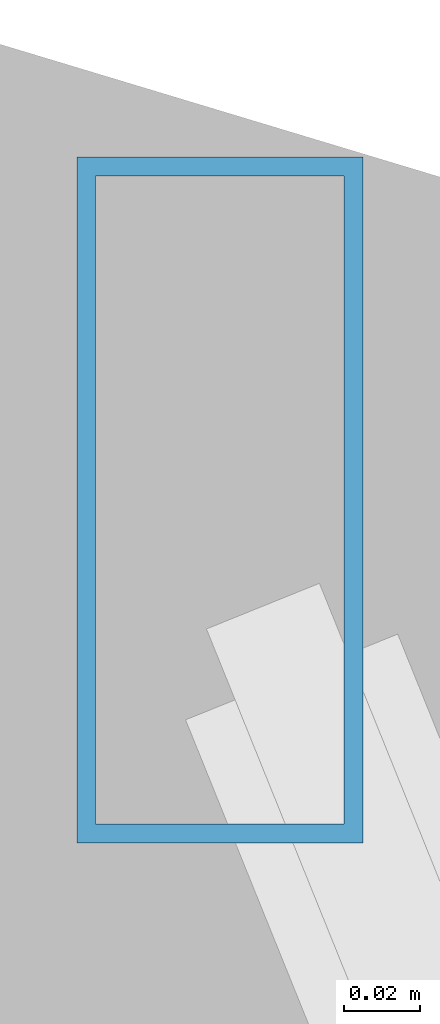
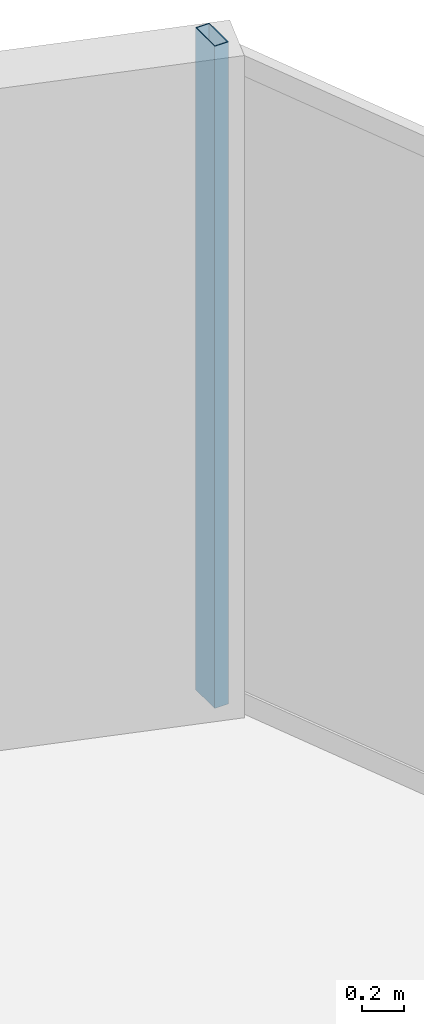
# One storey, part 23 of 29: 1 member, 1 element without a shape of its own.
"""IFC4 building model written with IfcOpenShell, lengths in metres."""

from ifc_helpers import new_model, si_unit, direction, frame, origin, origin_2d, place, context, subcontext, project, spatial, hollow_rectangle, extrude, material, layer, layer_set, material_profile, profile_set, type_object, element, aggregate, save


model = new_model("IFC4")

# Units and contexts
model_context = context("Model", 3, precision=1e-05, world=origin(), true_north=direction((0.0, 1.0)))
body_context = subcontext(model_context, "Body", "Model", "MODEL_VIEW")
ifc_project = project(units=[si_unit("LENGTHUNIT", "METRE"), si_unit("AREAUNIT", "SQUARE_METRE"), si_unit("VOLUMEUNIT", "CUBIC_METRE"), si_unit("PLANEANGLEUNIT", "RADIAN"), si_unit("MASSUNIT", "GRAM", prefix="KILO")], contexts=[model_context])

# Site, building, storey
site_placement = place(None, origin())
site = spatial("IfcSite", under=ifc_project, at=site_placement, CompositionType="ELEMENT")
building_placement = place(site_placement, origin())
building = spatial("IfcBuilding", under=site, at=building_placement, Name="Veymaron Broadcast Tower", CompositionType="ELEMENT")
storey_placement = place(building_placement, frame((0.0, 0.0, 62.10009765625)))
storey = spatial("IfcBuildingStorey", under=building, at=storey_placement, Name="L13", CompositionType="ELEMENT", Elevation=62.10009765625)

# Curtain wall, member
ifc_material_1 = material(Name="Anodised aluminium AA 6063-T6 and laminated low-E dark glass", Category="aluminium")
ifc_layer = layer(ifc_material_1, 0.179931640625)
ifc_layer_set = layer_set([ifc_layer], Name="Anodised aluminium AA 6063-T6 and laminated low-E dark glass")
curtain_wall_type = type_object("IfcCurtainWallType", Name="CW-SYS-02", PredefinedType="NOTDEFINED", material=ifc_layer_set)
curtain_wall_placement = place(storey_placement, origin())
curtain_wall = element("IfcCurtainWall", 1, at=curtain_wall_placement, inside=storey, type_object=curtain_wall_type, Name="L13 dark-glass curtain wall CW-L13-E5-1", PredefinedType="NOTDEFINED")
ifc_material_2 = material(Name="Anodised aluminium AA 6063-T6", Category="aluminium")
ifc_material_profile = material_profile(ifc_material_2, hollow_rectangle(XDim=0.074951171875, YDim=0.179931640625, WallThickness=0.0048828125, at=origin_2d()), Name="AL180X75X5")
ifc_profile_set = profile_set([ifc_material_profile], Name="Anodised aluminium AA 6063-T6")
member_type = type_object("IfcMemberType", Name="CW-MUL-02", PredefinedType="MULLION", material=ifc_profile_set)
member_placement = place(storey_placement, frame((41.580322265625, 43.741455078125, 0.0), z_axis=(0.0, 0.0, 1.0), x_axis=(1.0, 0.0, 0.0)))
member = element("IfcMember", 2, at=member_placement, type_object=member_type, Name="CW-L13-E5-1 mullion 2", PredefinedType="MULLION", context=body_context, shape_type="SweptSolid", body=[
    extrude(hollow_rectangle(XDim=0.074951171875, YDim=0.179931640625, WallThickness=0.0048828125, at=origin_2d()), origin(), (0.0, 0.0, 1.0), 3.809814453125),
])
aggregate(curtain_wall, [member])

save(model, "model.ifc")
